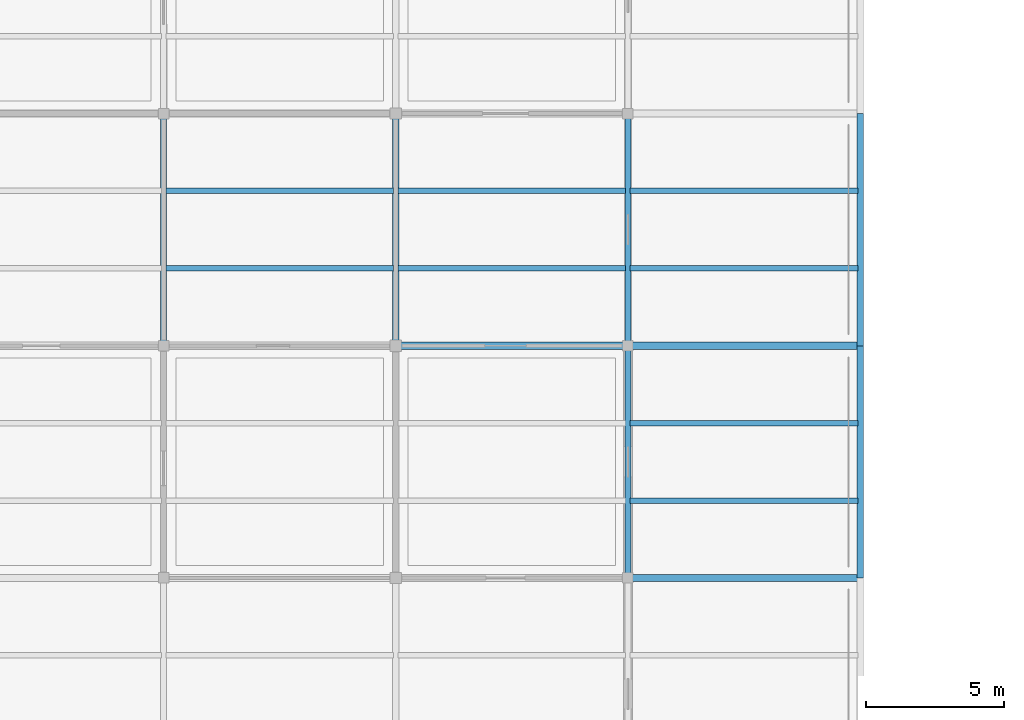
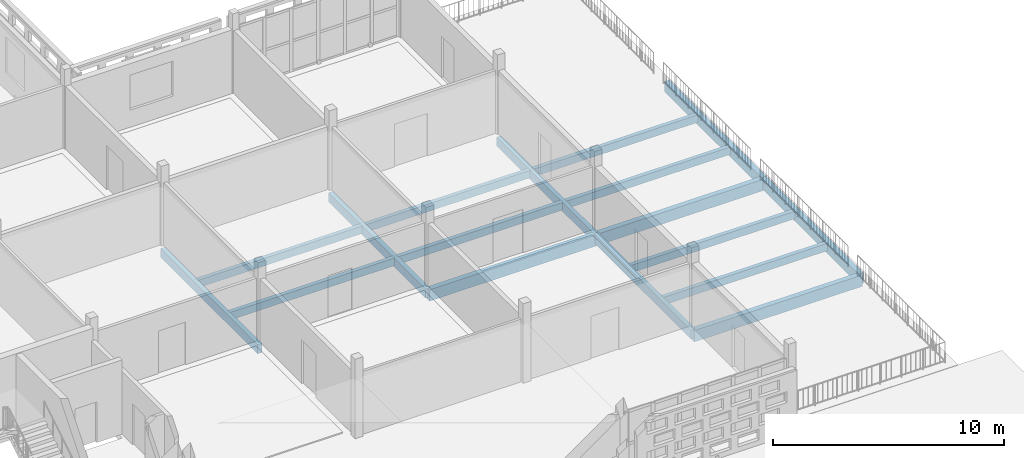
# One storey, part 17 of 140: 17 beams.
"""IFC4 building model written with IfcOpenShell, lengths in metres."""

from ifc_helpers import new_model, si_unit, direction, frame, origin, origin_2d, place, context, subcontext, project, spatial, rectangle, extrude, material, material_profile, profile_set, type_object, element, save


model = new_model("IFC4")

# Units and contexts
model_context = context("Model", 3, precision=1e-05, world=origin(), true_north=direction((0.0, 1.0)))
body_context = subcontext(model_context, "Body", "Model", "MODEL_VIEW")
ifc_project = project(units=[si_unit("LENGTHUNIT", "METRE"), si_unit("AREAUNIT", "SQUARE_METRE"), si_unit("VOLUMEUNIT", "CUBIC_METRE"), si_unit("PLANEANGLEUNIT", "RADIAN"), si_unit("MASSUNIT", "GRAM", prefix="KILO")], contexts=[model_context])

# Site, building, storey
site_placement = place(None, origin())
site = spatial("IfcSite", under=ifc_project, at=site_placement, CompositionType="ELEMENT")
building_placement = place(site_placement, origin())
building = spatial("IfcBuilding", under=site, at=building_placement, Name="Varnapada Polytechnic", CompositionType="ELEMENT")
storey_placement = place(building_placement, frame((0.0, 0.0, 13.800048828125)))
storey = spatial("IfcBuildingStorey", under=building, at=storey_placement, Name="L03", CompositionType="ELEMENT", Elevation=13.800048828125)

# Beams
ifc_material = material(Name="Glulam GL32h", Category="wood")
ifc_material_profile_1 = material_profile(ifc_material, rectangle(XDim=0.199951171875, YDim=0.39990234375, at=origin_2d()), Name="GL 200x400")
ifc_profile_set_1 = profile_set([ifc_material_profile_1], Name="Glulam GL32h")
beam_type_1 = type_object("IfcBeamType", Name="Library/laboratory glulam floor joist GJ-01 (GL 200x400)", PredefinedType="JOIST", material=ifc_profile_set_1)
for number, where, z_axis, x_axis, name in (
    (1, (33.679931640625, 28.0, -0.469970703125), (1.0, 0.0, 0.0), (0.0, 1.0, 0.0), "L03 floor joist 5/4.1"),
    (2, (33.679931640625, 30.800048828125, -0.469970703125), (1.0, 0.0, 0.0), (0.0, 1.0, 0.0), "L03 floor joist 5/4.2"),
    (3, (42.080078125, 28.0, -0.469970703125), (1.0, 0.0, 0.0), (0.0, 1.0, 0.0), "L03 floor joist 6/4.1"),
    (4, (42.080078125, 30.800048828125, -0.469970703125), (1.0, 0.0, 0.0), (0.0, 1.0, 0.0), "L03 floor joist 6/4.2"),
    (5, (50.47998046875, 19.60009765625, -0.469970703125), (1.0, 0.0, 0.0), (0.0, 1.0, 0.0), "L03 floor joist 7/3.1"),
    (6, (50.47998046875, 22.39990234375, -0.469970703125), (1.0, 0.0, 0.0), (0.0, 1.0, 0.0), "L03 floor joist 7/3.2"),
    (7, (50.47998046875, 28.0, -0.469970703125), (1.0, 0.0, 0.0), (0.0, 1.0, 0.0), "L03 floor joist 7/4.1"),
    (8, (50.47998046875, 30.800048828125, -0.469970703125), (1.0, 0.0, 0.0), (0.0, 1.0, 0.0), "L03 floor joist 7/4.2"),
):
    element("IfcBeam", number, at=place(storey_placement, frame(where, z_axis=z_axis, x_axis=x_axis)), inside=storey, type_object=beam_type_1, Name=name, PredefinedType="JOIST", context=body_context, shape_type="SweptSolid", body=[
        extrude(rectangle(XDim=0.199951171875, YDim=0.39990234375, at=origin_2d()), origin(), (0.0, 0.0, 1.0), 8.239990234375),
    ])
ifc_material_profile_2 = material_profile(ifc_material, rectangle(XDim=0.239990234375, YDim=0.56005859375, at=origin_2d()), Name="GL 240x560")
ifc_profile_set_2 = profile_set([ifc_material_profile_2], Name="Glulam GL32h")
beam_type_2 = type_object("IfcBeamType", Name="Perimeter glulam spandrel beam SP-02 (GL 240x560)", PredefinedType="SPANDREL", material=ifc_profile_set_2)
beam_1_placement = place(storey_placement, frame((58.800048828125, 16.800048828125, -0.5400390625), z_axis=(0.0, 1.0, 0.0), x_axis=(-1.0, 0.0, 0.0)))
element("IfcBeam", 9, at=beam_1_placement, inside=storey, type_object=beam_type_2, Name="L03 beam Y 3-4 at X8", PredefinedType="SPANDREL", context=body_context, shape_type="SweptSolid", body=[
    extrude(rectangle(XDim=0.239990234375, YDim=0.56005859375, at=origin_2d()), origin(), (0.0, 0.0, 1.0), 8.39990234375),
])
beam_2_placement = place(storey_placement, frame((58.800048828125, 25.199951171875, -0.5400390625), z_axis=(0.0, 1.0, 0.0), x_axis=(-1.0, 0.0, 0.0)))
element("IfcBeam", 10, at=beam_2_placement, inside=storey, type_object=beam_type_2, Name="L03 beam Y 4-5 at X8", PredefinedType="SPANDREL", context=body_context, shape_type="SweptSolid", body=[
    extrude(rectangle(XDim=0.239990234375, YDim=0.56005859375, at=origin_2d()), origin(), (0.0, 0.0, 1.0), 8.400146484375),
])
ifc_material_profile_3 = material_profile(ifc_material, rectangle(XDim=0.260009765625, YDim=0.60009765625, at=origin_2d()), Name="GL 260x600")
ifc_profile_set_3 = profile_set([ifc_material_profile_3], Name="Glulam GL32h")
beam_type_3 = type_object("IfcBeamType", Name="Seminar wing glulam girder GG-05 (GL 260x600)", PredefinedType="BEAM", material=ifc_profile_set_3)
beam_3_placement = place(storey_placement, frame((42.0, 25.199951171875, -0.570068359375), z_axis=(1.0, 0.0, 0.0), x_axis=(0.0, 1.0, 0.0)))
element("IfcBeam", 11, at=beam_3_placement, inside=storey, type_object=beam_type_3, Name="L03 beam X 6-7 at Y4", PredefinedType="BEAM", context=body_context, shape_type="SweptSolid", body=[
    extrude(rectangle(XDim=0.260009765625, YDim=0.60009765625, at=origin_2d()), origin(), (0.0, 0.0, 1.0), 8.39990234375),
])
for number, where, z_axis, x_axis, name in (
    (12, (50.39990234375, 16.800048828125, -0.570068359375), (1.0, 0.0, 0.0), (0.0, 1.0, 0.0), "L03 beam X 7-8 at Y3"),
    (13, (50.39990234375, 25.199951171875, -0.570068359375), (1.0, 0.0, 0.0), (0.0, 1.0, 0.0), "L03 beam X 7-8 at Y4"),
):
    element("IfcBeam", number, at=place(storey_placement, frame(where, z_axis=z_axis, x_axis=x_axis)), inside=storey, type_object=beam_type_3, Name=name, PredefinedType="BEAM", context=body_context, shape_type="SweptSolid", body=[
        extrude(rectangle(XDim=0.260009765625, YDim=0.60009765625, at=origin_2d()), origin(), (0.0, 0.0, 1.0), 8.400146484375),
    ])
ifc_material_profile_4 = material_profile(ifc_material, rectangle(XDim=0.219970703125, YDim=0.47998046875, at=origin_2d()), Name="GL 220x480")
ifc_profile_set_4 = profile_set([ifc_material_profile_4], Name="Glulam GL32h")
beam_type_4 = type_object("IfcBeamType", Name="Upper floor glulam tie beam GB-11 (GL 220x480)", PredefinedType="BEAM", material=ifc_profile_set_4)
for number, where, z_axis, x_axis, name in (
    (14, (33.60009765625, 25.199951171875, -0.510009765625), (0.0, 1.0, 0.0), (-1.0, 0.0, 0.0), "L03 beam Y 4-5 at X5"),
    (15, (42.0, 25.199951171875, -0.510009765625), (0.0, 1.0, 0.0), (-1.0, 0.0, 0.0), "L03 beam Y 4-5 at X6"),
):
    element("IfcBeam", number, at=place(storey_placement, frame(where, z_axis=z_axis, x_axis=x_axis)), inside=storey, type_object=beam_type_4, Name=name, PredefinedType="BEAM", context=body_context, shape_type="SweptSolid", body=[
        extrude(rectangle(XDim=0.219970703125, YDim=0.47998046875, at=origin_2d()), origin(), (0.0, 0.0, 1.0), 8.400146484375),
    ])
beam_4_placement = place(storey_placement, frame((50.39990234375, 16.800048828125, -0.510009765625), z_axis=(0.0, 1.0, 0.0), x_axis=(-1.0, 0.0, 0.0)))
element("IfcBeam", 16, at=beam_4_placement, inside=storey, type_object=beam_type_4, Name="L03 beam Y 3-4 at X7", PredefinedType="BEAM", context=body_context, shape_type="SweptSolid", body=[
    extrude(rectangle(XDim=0.219970703125, YDim=0.47998046875, at=origin_2d()), origin(), (0.0, 0.0, 1.0), 8.39990234375),
])
beam_5_placement = place(storey_placement, frame((50.39990234375, 25.199951171875, -0.510009765625), z_axis=(0.0, 1.0, 0.0), x_axis=(-1.0, 0.0, 0.0)))
element("IfcBeam", 17, at=beam_5_placement, inside=storey, type_object=beam_type_4, Name="L03 beam Y 4-5 at X7", PredefinedType="BEAM", context=body_context, shape_type="SweptSolid", body=[
    extrude(rectangle(XDim=0.219970703125, YDim=0.47998046875, at=origin_2d()), origin(), (0.0, 0.0, 1.0), 8.400146484375),
])

save(model, "model.ifc")
